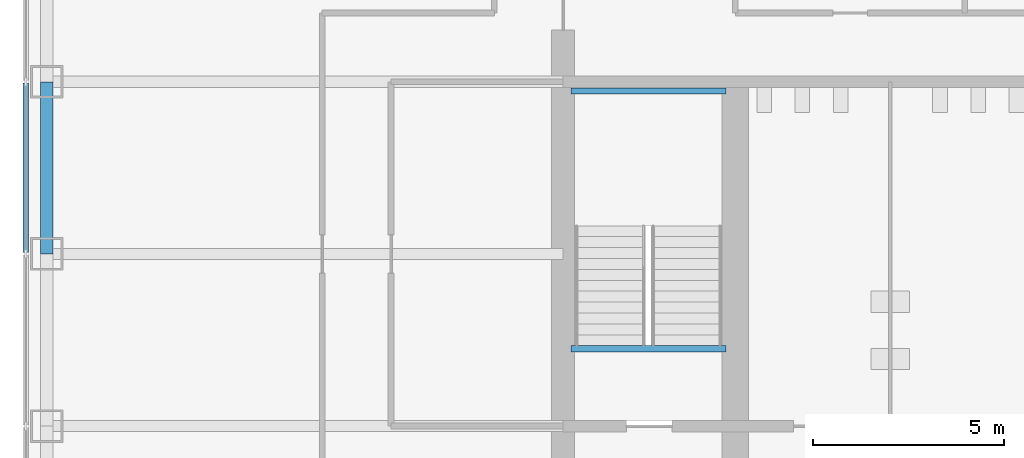
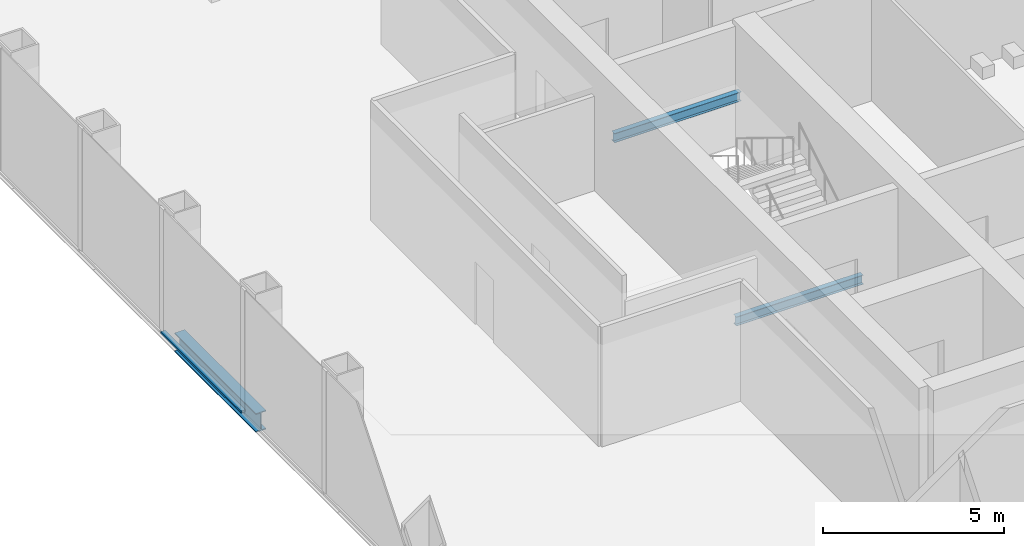
# One storey, part 3 of 12: 3 beams, 1 member, 1 element without a shape of its own.
"""IFC4 building model written with IfcOpenShell, lengths in metres."""

from ifc_helpers import new_model, si_unit, direction, frame, origin, origin_2d, place, context, subcontext, project, spatial, rectangle, i_section, extrude, material, material_profile, profile_set, type_object, element, aggregate, save


model = new_model("IFC4")

# Units and contexts
model_context = context("Model", 3, precision=1e-05, world=origin(), true_north=direction((0.0, 1.0)))
body_context = subcontext(model_context, "Body", "Model", "MODEL_VIEW")
ifc_project = project(units=[si_unit("LENGTHUNIT", "METRE"), si_unit("AREAUNIT", "SQUARE_METRE"), si_unit("VOLUMEUNIT", "CUBIC_METRE"), si_unit("PLANEANGLEUNIT", "RADIAN"), si_unit("MASSUNIT", "GRAM", prefix="KILO")], contexts=[model_context])

# Site, building, storey
site_placement = place(None, origin())
site = spatial("IfcSite", under=ifc_project, at=site_placement, CompositionType="ELEMENT")
building_placement = place(site_placement, origin())
building = spatial("IfcBuilding", under=site, at=building_placement, Name="Corais Broadcast Tower", CompositionType="ELEMENT")
storey_placement = place(building_placement, frame((0.0, 0.0, 37.39990234375)))
storey = spatial("IfcBuildingStorey", under=building, at=storey_placement, Name="L07", CompositionType="ELEMENT", Elevation=37.39990234375)

# Beams
ifc_material_1 = material(Name="Steel ASTM A572 Grade 50", Category="steel")
ifc_material_profile_1 = material_profile(ifc_material_1, i_section(OverallWidth=0.1650390625, OverallDepth=0.31005859375, WebThickness=0.005859375, FlangeThickness=0.009765625, at=origin_2d()), Name="W310x38.7")
ifc_profile_set_1 = profile_set([ifc_material_profile_1], Name="Steel ASTM A572 Grade 50")
beam_type_1 = type_object("IfcBeamType", Name="Landing trimmer W310x38.7", PredefinedType="BEAM", material=ifc_profile_set_1)
for number, where, z_axis, x_axis, name in (
    (1, (13.699951171875, 24.52490234375, -0.35498046875), (1.0, 0.0, 0.0), (0.0, 1.0, 0.0), "LT1 stair A landing trimmer L07"),
    (2, (13.699951171875, 31.260009765625, 1.7451171875), (1.0, 0.0, 0.0), (0.0, 1.0, 0.0), "LT1 stair A half landing trimmer L07"),
):
    element("IfcBeam", number, at=place(storey_placement, frame(where, z_axis=z_axis, x_axis=x_axis)), inside=storey, type_object=beam_type_1, Name=name, PredefinedType="BEAM", context=body_context, shape_type="SweptSolid", body=[
        extrude(i_section(OverallWidth=0.1650390625, OverallDepth=0.31005859375, WebThickness=0.005859375, FlangeThickness=0.009765625, at=origin_2d()), origin(), (0.0, 0.0, 1.0), 4.050048828125),
    ])
ifc_material_2 = material(Name="Steel ASTM A572 Grade 50", Category="steel")
ifc_material_profile_2 = material_profile(ifc_material_2, i_section(OverallWidth=0.3291015625, OverallDepth=0.635009765625, WebThickness=0.017822265625, FlangeThickness=0.031005859375, at=origin_2d()), Name="W610x241")
ifc_profile_set_2 = profile_set([ifc_material_profile_2], Name="Steel ASTM A572 Grade 50")
beam_type_2 = type_object("IfcBeamType", Name="Spandrel W610x241", PredefinedType="BEAM", material=ifc_profile_set_2)
beam_placement = place(storey_placement, frame((0.0, 31.5, -0.477294921875), z_axis=(0.0, -1.0, 0.0), x_axis=(1.0, 0.0, 0.0)))
element("IfcBeam", 3, at=beam_placement, inside=storey, type_object=beam_type_2, Name="SB1 H/3 to G/3", PredefinedType="BEAM", context=body_context, shape_type="SweptSolid", body=[
    extrude(i_section(OverallWidth=0.3291015625, OverallDepth=0.635009765625, WebThickness=0.017822265625, FlangeThickness=0.031005859375, at=origin_2d()), origin(), (0.0, 0.0, 1.0), 4.5),
])

# Curtain wall, member
ifc_material_3 = material(Name="Aluminium and glass", Category="aluminium")
curtain_wall_type = type_object("IfcCurtainWallType", Name="Newsroom clear-glass curtain wall CW7", PredefinedType="NOTDEFINED", material=ifc_material_3)
curtain_wall_placement = place(storey_placement, origin())
curtain_wall = element("IfcCurtainWall", 4, at=curtain_wall_placement, inside=storey, type_object=curtain_wall_type, Name="CW7 curtain wall L07 2", PredefinedType="NOTDEFINED")
ifc_material_4 = material(Name="Aluminium 6063-T6", Category="aluminium")
ifc_material_profile_3 = material_profile(ifc_material_4, rectangle(XDim=0.14990234375, YDim=0.06494140625, at=origin_2d()), Name="Transom CW7 65x150")
ifc_profile_set_3 = profile_set([ifc_material_profile_3], Name="Aluminium 6063-T6")
member_type = type_object("IfcMemberType", Name="Transom CW7 65x150", PredefinedType="USERDEFINED", material=ifc_profile_set_3)
member_placement = place(storey_placement, frame((-0.550048828125, 27.032470703125, 0.03271484375), z_axis=(0.0, 1.0, 0.0), x_axis=(-1.0, 0.0, 0.0)))
member = element("IfcMember", 5, at=member_placement, type_object=member_type, Name="CW7 transom 6.1", ObjectType="TRANSOM", PredefinedType="USERDEFINED", context=body_context, shape_type="SweptSolid", body=[
    extrude(rectangle(XDim=0.14990234375, YDim=0.06494140625, at=origin_2d()), origin(), (0.0, 0.0, 1.0), 4.43505859375),
])
aggregate(curtain_wall, [member])

save(model, "model.ifc")
